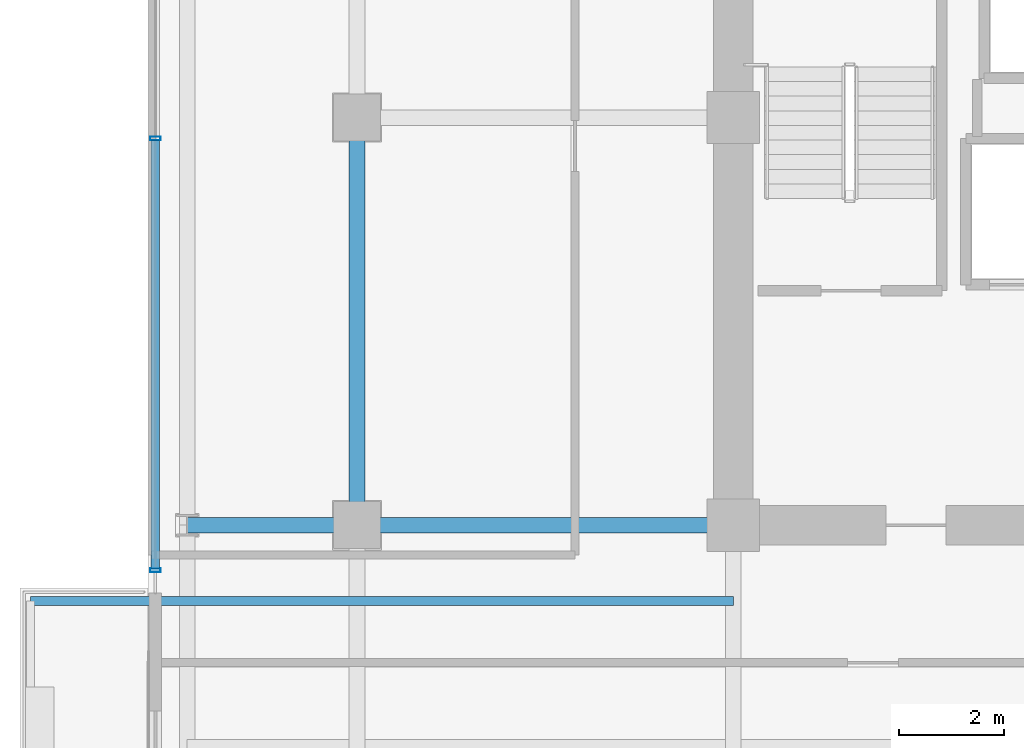
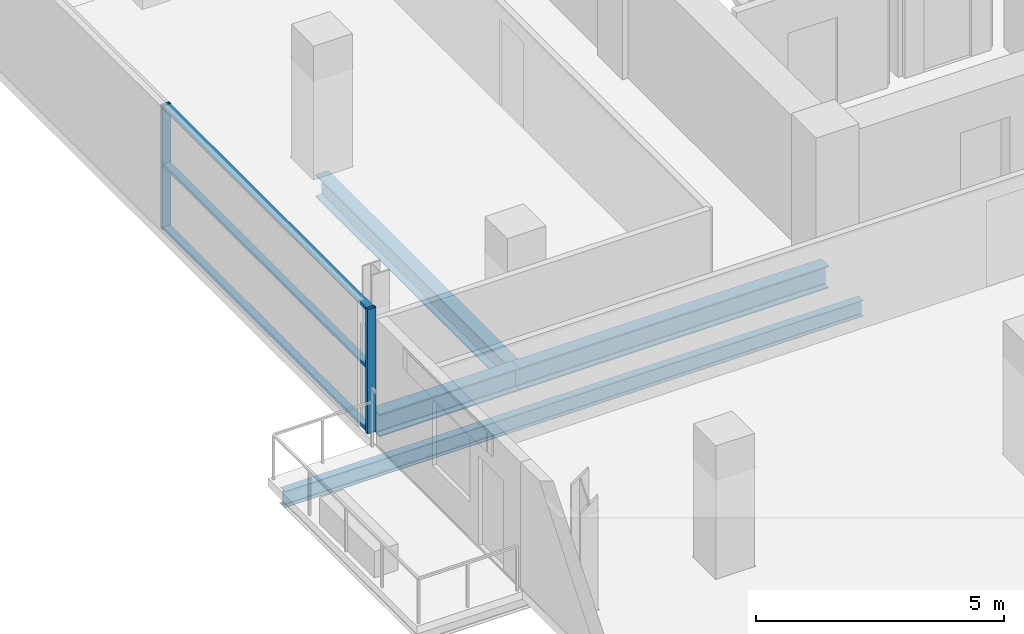
# One storey, part 5 of 23: 5 members, 4 beams, 1 element without a shape of its own.
"""IFC4 building model written with IfcOpenShell, lengths in metres."""

from ifc_helpers import new_model, si_unit, direction, frame, origin, origin_2d, place, context, subcontext, project, spatial, hollow_rectangle, i_section, extrude, source, transform, mapped, material, layer, layer_set, material_profile, profile_set, type_object, element, aggregate, save


model = new_model("IFC4")

# Units and contexts
model_context = context("Model", 3, precision=1e-05, world=origin(), true_north=direction((0.0, 1.0)))
body_context = subcontext(model_context, "Body", "Model", "MODEL_VIEW")
ifc_project = project(units=[si_unit("LENGTHUNIT", "METRE"), si_unit("AREAUNIT", "SQUARE_METRE"), si_unit("VOLUMEUNIT", "CUBIC_METRE"), si_unit("PLANEANGLEUNIT", "RADIAN"), si_unit("MASSUNIT", "GRAM", prefix="KILO")], contexts=[model_context])

# Site, building, storey
site_placement = place(None, origin())
site = spatial("IfcSite", under=ifc_project, at=site_placement, CompositionType="ELEMENT")
building_placement = place(site_placement, origin())
building = spatial("IfcBuilding", under=site, at=building_placement, Name="Zarnakvel Exchange Tower", CompositionType="ELEMENT")
storey_placement = place(building_placement, frame((0.0, 0.0, 129.699951171875)))
storey = spatial("IfcBuildingStorey", under=building, at=storey_placement, Name="L36", CompositionType="ELEMENT", Elevation=129.699951171875)

# Beams
ifc_material_1 = material(Name="Steel S355", Category="steel")
ifc_material_profile_1 = material_profile(ifc_material_1, i_section(OverallWidth=0.179931640625, OverallDepth=0.39990234375, WebThickness=0.008544921875, FlangeThickness=0.013427734375, FilletRadius=0.02099609375, at=origin_2d()))
ifc_profile_set_1 = profile_set([ifc_material_profile_1], Name="Steel S355")
beam_type_1 = type_object("IfcBeamType", Name="B-06", PredefinedType="JOIST", material=ifc_profile_set_1)
beam_1_placement = place(storey_placement, frame((-14.39990234375, -2.64990234375, -0.425048828125), z_axis=(-1.0, 0.0, 0.0), x_axis=(0.0, -1.0, 0.0)))
element("IfcBeam", 1, at=beam_1_placement, inside=storey, type_object=beam_type_1, Name="L36 Continuous West Loggia Beam N", PredefinedType="JOIST", context=body_context, shape_type="SweptSolid", body=[
    extrude(i_section(OverallWidth=0.179931640625, OverallDepth=0.39990234375, WebThickness=0.008544921875, FlangeThickness=0.013427734375, FilletRadius=0.02099609375, at=origin_2d()), origin(), (0.0, 0.0, 1.0), 13.4501953125),
])
ifc_material_profile_2 = material_profile(ifc_material_1, i_section(OverallWidth=0.300048828125, OverallDepth=0.550048828125, WebThickness=0.014892578125, FlangeThickness=0.029052734375, FilletRadius=0.027099609375, at=origin_2d()))
ifc_profile_set_2 = profile_set([ifc_material_profile_2], Name="Steel S355")
beam_type_2 = type_object("IfcBeamType", Name="G-05", PredefinedType="BEAM", material=ifc_profile_set_2)
beam_2_placement = place(storey_placement, frame((-24.85009765625, -1.199951171875, -0.5), z_axis=(1.0, 0.0, 0.0), x_axis=(0.0, 1.0, 0.0)))
element("IfcBeam", 2, at=beam_2_placement, inside=storey, type_object=beam_type_2, Name="L36 Tower E-W Frame Beam", PredefinedType="BEAM", context=body_context, shape_type="SweptSolid", body=[
    extrude(i_section(OverallWidth=0.300048828125, OverallDepth=0.550048828125, WebThickness=0.014892578125, FlangeThickness=0.029052734375, FilletRadius=0.027099609375, at=origin_2d()), origin(), (0.0, 0.0, 1.0), 3.25),
])
beam_3_placement = place(storey_placement, frame((-21.60009765625, -1.199951171875, -0.5), z_axis=(1.0, 0.0, 0.0), x_axis=(0.0, 1.0, 0.0)))
element("IfcBeam", 3, at=beam_3_placement, inside=storey, type_object=beam_type_2, Name="L36 Tower E-W Frame Beam", PredefinedType="BEAM", context=body_context, shape_type="SweptSolid", body=[
    extrude(i_section(OverallWidth=0.300048828125, OverallDepth=0.550048828125, WebThickness=0.014892578125, FlangeThickness=0.029052734375, FilletRadius=0.027099609375, at=origin_2d()), origin(), (0.0, 0.0, 1.0), 7.2001953125),
])
beam_4_placement = place(storey_placement, frame((-21.60009765625, -1.199951171875, -0.5), z_axis=(0.0, 1.0, 0.0), x_axis=(-1.0, 0.0, 0.0)))
element("IfcBeam", 4, at=beam_4_placement, inside=storey, type_object=beam_type_2, Name="L36 Tower N-S Frame Beam", PredefinedType="BEAM", context=body_context, shape_type="SweptSolid", body=[
    extrude(i_section(OverallWidth=0.300048828125, OverallDepth=0.550048828125, WebThickness=0.014892578125, FlangeThickness=0.029052734375, FilletRadius=0.027099609375, at=origin_2d()), origin(), (0.0, 0.0, 1.0), 7.800048828125),
])

# Curtain wall, members
ifc_material_2 = material(Name="Architectural Bronze Anodised Aluminium", Category="aluminium")
ifc_layer = layer(ifc_material_2, 0.199951171875)
ifc_layer_set = layer_set([ifc_layer], Name="Architectural Bronze Anodised Aluminium")
curtain_wall_type = type_object("IfcCurtainWallType", Name="CW-04", PredefinedType="NOTDEFINED", material=ifc_layer_set)
curtain_wall_placement = place(storey_placement, origin())
curtain_wall = element("IfcCurtainWall", 5, at=curtain_wall_placement, inside=storey, type_object=curtain_wall_type, Name="L36 Curtain Wall CW-L36-WN (CW-04)", PredefinedType="NOTDEFINED")
ifc_material_profile_3 = material_profile(ifc_material_2, hollow_rectangle(XDim=0.199951171875, YDim=0.074951171875, WallThickness=0.0048828125, at=origin_2d()))
ifc_profile_set_3 = profile_set([ifc_material_profile_3], Name="Architectural Bronze Anodised Aluminium")
member_type_1 = type_object("IfcMemberType", Name="CWM-04", PredefinedType="MULLION", material=ifc_profile_set_3)
shared_shape_1 = source(origin(), body_context, "Body", "SweptSolid", [
    extrude(hollow_rectangle(XDim=0.199951171875, YDim=0.074951171875, WallThickness=0.0048828125, at=origin_2d()), origin(), (0.0, 0.0, 1.0), 3.054931640625),
])
member_1_placement = place(storey_placement, frame((-25.4599609375, -2.0625, 0.0), z_axis=(0.0, 0.0, 1.0), x_axis=(-1.0, 0.0, 0.0)))
member_1 = element("IfcMember", 6, at=member_1_placement, type_object=member_type_1, Name="CW-04 mullion 1", PredefinedType="MULLION", context=body_context, shape_type="MappedRepresentation", body=[
    mapped(shared_shape_1, transform((0.0, 0.0, 0.0), x_axis=(1.0, 0.0, 0.0), y_axis=(0.0, 1.0, 0.0), z_axis=(0.0, 0.0, 1.0), scale=1.0)),
])
member_2_placement = place(storey_placement, frame((-25.4599609375, 6.199951171875, 0.0), z_axis=(0.0, 0.0, 1.0), x_axis=(-1.0, 0.0, 0.0)))
member_2 = element("IfcMember", 7, at=member_2_placement, type_object=member_type_1, Name="CW-04 mullion 2", PredefinedType="MULLION", context=body_context, shape_type="MappedRepresentation", body=[
    mapped(shared_shape_1, transform((0.0, 0.0, 0.0), x_axis=(1.0, 0.0, 0.0), y_axis=(0.0, 1.0, 0.0), z_axis=(0.0, 0.0, 1.0), scale=1.0)),
])
ifc_material_profile_4 = material_profile(ifc_material_2, hollow_rectangle(XDim=0.159912109375, YDim=0.074951171875, WallThickness=0.00390625, at=origin_2d()))
ifc_profile_set_4 = profile_set([ifc_material_profile_4], Name="Architectural Bronze Anodised Aluminium")
member_type_2 = type_object("IfcMemberType", Name="CWT-04", PredefinedType="USERDEFINED", material=ifc_profile_set_4)
shared_shape_2 = source(origin(), body_context, "Body", "SweptSolid", [
    extrude(hollow_rectangle(XDim=0.159912109375, YDim=0.074951171875, WallThickness=0.00390625, at=origin_2d()), origin(), (0.0, 0.0, 1.0), 8.1875),
])
member_3_placement = place(storey_placement, frame((-25.4599609375, -2.02490234375, 0.03759765625), z_axis=(0.0, 1.0, 0.0), x_axis=(-1.0, 0.0, 0.0)))
member_3 = element("IfcMember", 8, at=member_3_placement, type_object=member_type_2, Name="CW-04 transom 1.1", ObjectType="TRANSOM", PredefinedType="USERDEFINED", context=body_context, shape_type="MappedRepresentation", body=[
    mapped(shared_shape_2, transform((0.0, 0.0, 0.0), x_axis=(1.0, 0.0, 0.0), y_axis=(0.0, 1.0, 0.0), z_axis=(0.0, 0.0, 1.0), scale=1.0)),
])
member_4_placement = place(storey_placement, frame((-25.4599609375, -2.02490234375, 1.588623046875), z_axis=(0.0, 1.0, 0.0), x_axis=(-1.0, 0.0, 0.0)))
member_4 = element("IfcMember", 9, at=member_4_placement, type_object=member_type_2, Name="CW-04 transom 1.2", ObjectType="TRANSOM", PredefinedType="USERDEFINED", context=body_context, shape_type="MappedRepresentation", body=[
    mapped(shared_shape_2, transform((0.0, 0.0, 0.0), x_axis=(1.0, 0.0, 0.0), y_axis=(0.0, 1.0, 0.0), z_axis=(0.0, 0.0, 1.0), scale=1.0)),
])
member_5_placement = place(storey_placement, frame((-25.4599609375, -2.02490234375, 3.017578125), z_axis=(0.0, 1.0, 0.0), x_axis=(-1.0, 0.0, 0.0)))
member_5 = element("IfcMember", 10, at=member_5_placement, type_object=member_type_2, Name="CW-04 transom 1.3", ObjectType="TRANSOM", PredefinedType="USERDEFINED", context=body_context, shape_type="MappedRepresentation", body=[
    mapped(shared_shape_2, transform((0.0, 0.0, 0.0), x_axis=(1.0, 0.0, 0.0), y_axis=(0.0, 1.0, 0.0), z_axis=(0.0, 0.0, 1.0), scale=1.0)),
])
aggregate(curtain_wall, [member_1, member_2, member_3, member_4, member_5])

save(model, "model.ifc")
